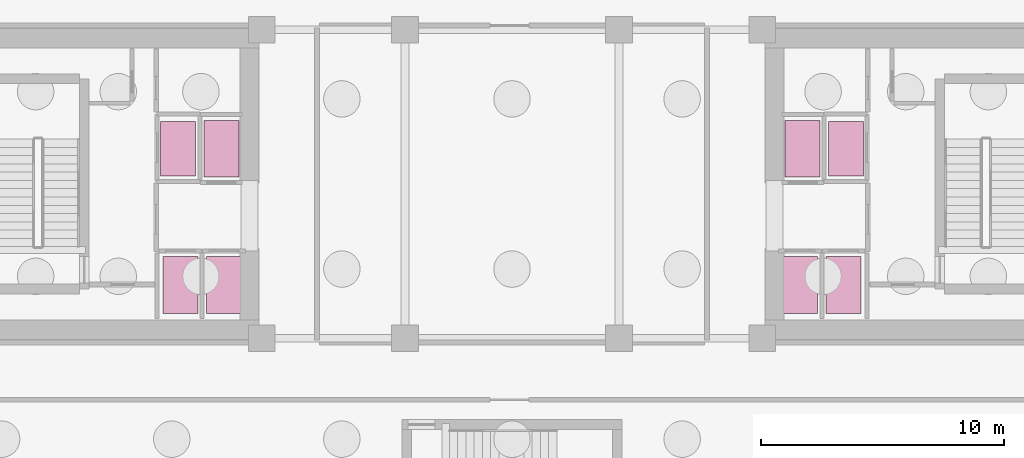
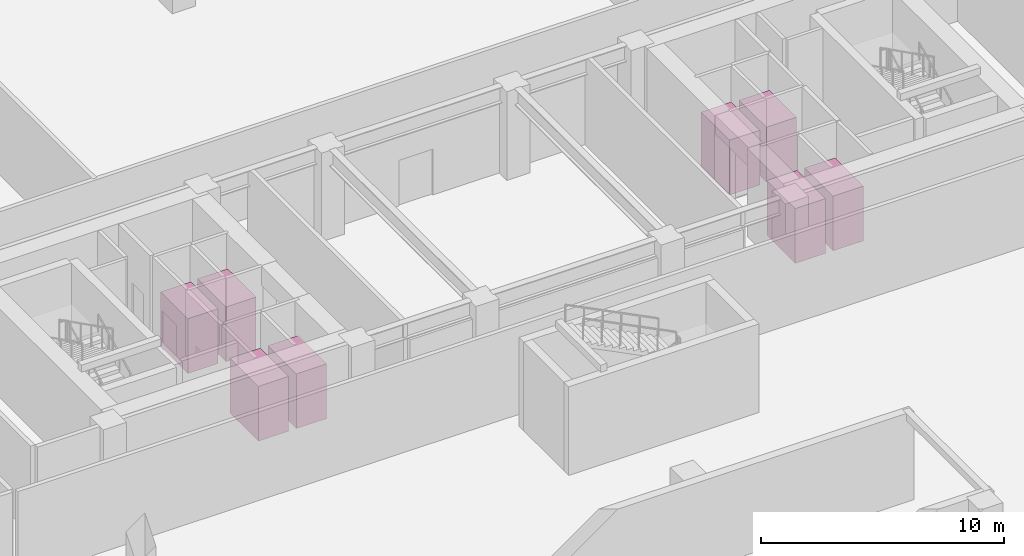
# One storey, part 10 of 10: 8 transport elements.
"""IFC4 building model written with IfcOpenShell, lengths in metres."""

from ifc_helpers import new_model, si_unit, direction, frame, origin, origin_2d, place, context, subcontext, project, spatial, rectangle, extrude, material, type_object, element, save


model = new_model("IFC4")

# Units and contexts
model_context = context("Model", 3, precision=1e-05, world=origin(), true_north=direction((0.0, 1.0)))
body_context = subcontext(model_context, "Body", "Model", "MODEL_VIEW")
ifc_project = project(units=[si_unit("LENGTHUNIT", "METRE"), si_unit("AREAUNIT", "SQUARE_METRE"), si_unit("VOLUMEUNIT", "CUBIC_METRE"), si_unit("PLANEANGLEUNIT", "RADIAN"), si_unit("MASSUNIT", "GRAM", prefix="KILO")], contexts=[model_context])

# Site, building, storey
site_placement = place(None, origin())
site = spatial("IfcSite", under=ifc_project, at=site_placement, CompositionType="ELEMENT")
building_placement = place(site_placement, origin())
building = spatial("IfcBuilding", under=site, at=building_placement, Name="Tavrogorsk Clinical Tower", CompositionType="ELEMENT")
storey_placement = place(building_placement, frame((0.0, 0.0, -10.199951171875)))
storey = spatial("IfcBuildingStorey", under=building, at=storey_placement, Name="B2", CompositionType="ELEMENT", Elevation=-10.199951171875)

# Transport elements
ifc_material_1 = material(Name="Stainless steel AISI 316 fire-protected stretcher cab", Category="steel")
transport_element_type_1 = type_object("IfcTransportElementType", Name="FirefightingLift 1800kg", PredefinedType="ELEVATOR", material=ifc_material_1)
for number, where, z_axis, x_axis, name in (
    (1, (-13.739990234375, 1.449951171875, 0.02490234375), (0.0, 0.0, 1.0), (1.0, 0.0, 0.0), "Firefighting Stretcher Lift FFL-W 1800kg"),
    (2, (13.739990234375, 1.449951171875, 0.02490234375), (0.0, 0.0, 1.0), (1.0, 0.0, 0.0), "Firefighting Stretcher Lift FFL-E 1800kg"),
):
    element("IfcTransportElement", number, at=place(storey_placement, frame(where, z_axis=z_axis, x_axis=x_axis)), inside=storey, type_object=transport_element_type_1, Name=name, PredefinedType="ELEVATOR", context=body_context, shape_type="SweptSolid", body=[
        extrude(rectangle(XDim=1.43994140625, YDim=2.239990234375, at=origin_2d()), origin(), (0.0, 0.0, 1.0), 2.75),
    ])
ifc_material_2 = material(Name="Stainless steel AISI 304 clinical passenger cab", Category="steel")
transport_element_type_2 = type_object("IfcTransportElementType", Name="PassengerLift 2000kg", PredefinedType="ELEVATOR", material=ifc_material_2)
for number, where, z_axis, x_axis, name in (
    (3, (-13.64990234375, -4.14990234375, 0.02490234375), (0.0, 0.0, 1.0), (1.0, 0.0, 0.0), "Clinical Passenger Lift LP-L1 2000kg"),
    (4, (-11.85009765625, -4.14990234375, 0.02490234375), (0.0, 0.0, 1.0), (1.0, 0.0, 0.0), "Clinical Passenger Lift LP-M1 2000kg"),
    (5, (-11.9599609375, 1.449951171875, 0.02490234375), (0.0, 0.0, 1.0), (1.0, 0.0, 0.0), "Clinical Passenger Lift LP-H1 2000kg"),
    (6, (13.64990234375, -4.14990234375, 0.02490234375), (0.0, 0.0, 1.0), (1.0, 0.0, 0.0), "Clinical Passenger Lift LP-L2 2000kg"),
    (7, (11.85009765625, -4.14990234375, 0.02490234375), (0.0, 0.0, 1.0), (1.0, 0.0, 0.0), "Clinical Passenger Lift LP-M2 2000kg"),
    (8, (11.9599609375, 1.449951171875, 0.02490234375), (0.0, 0.0, 1.0), (1.0, 0.0, 0.0), "Clinical Passenger Lift LP-H2 2000kg"),
):
    element("IfcTransportElement", number, at=place(storey_placement, frame(where, z_axis=z_axis, x_axis=x_axis)), inside=storey, type_object=transport_element_type_2, Name=name, PredefinedType="ELEVATOR", context=body_context, shape_type="SweptSolid", body=[
        extrude(rectangle(XDim=1.43994140625, YDim=2.340087890625, at=origin_2d()), origin(), (0.0, 0.0, 1.0), 2.75),
    ])

save(model, "model.ifc")
